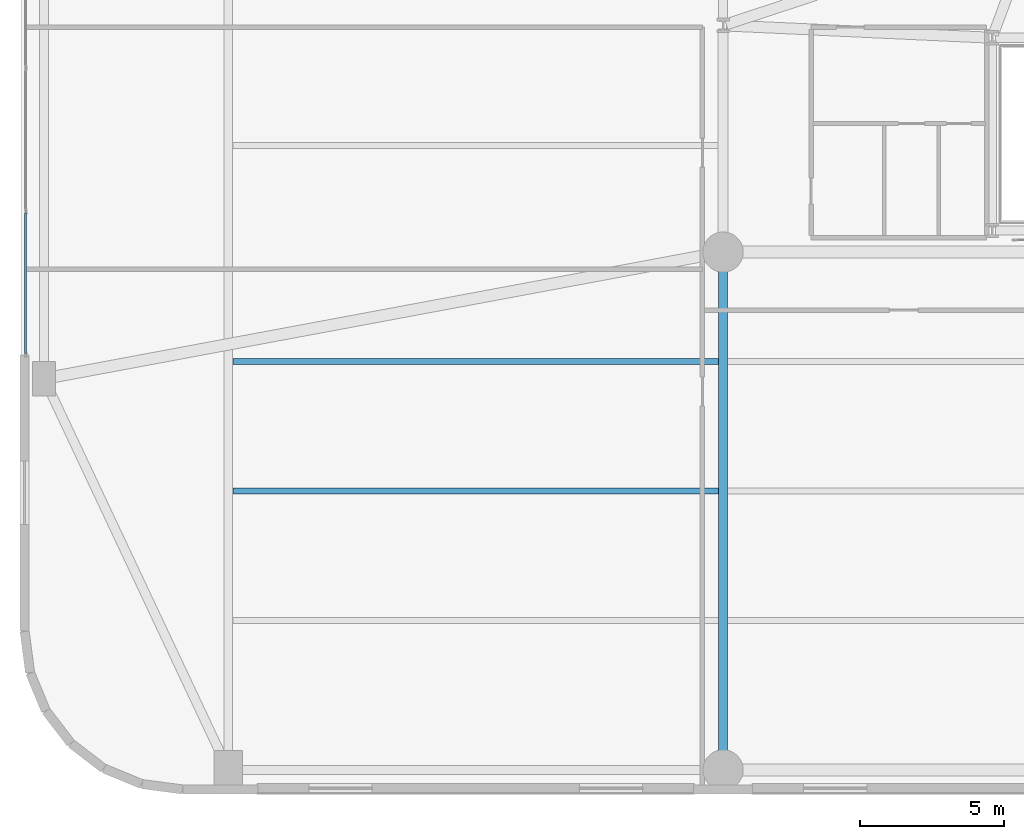
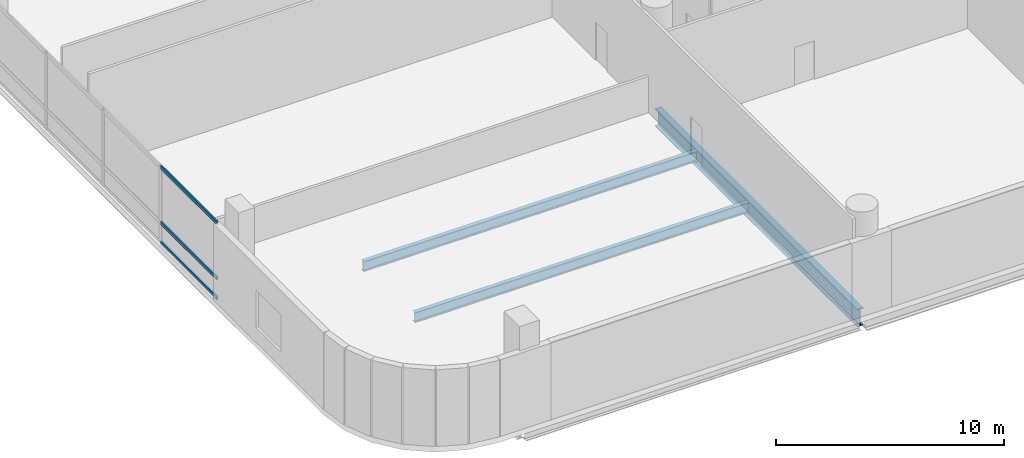
# One storey, part 3 of 31: 3 beams, 3 members, 1 element without a shape of its own.
"""IFC4 building model written with IfcOpenShell, lengths in metres."""

from ifc_helpers import new_model, si_unit, direction, frame, origin, origin_2d, place, context, subcontext, project, spatial, hollow_rectangle, i_section, extrude, material, layer, layer_set, material_profile, profile_set, type_object, element, aggregate, save


model = new_model("IFC4")

# Units and contexts
model_context = context("Model", 3, precision=1e-05, world=origin(), true_north=direction((0.0, 1.0)))
body_context = subcontext(model_context, "Body", "Model", "MODEL_VIEW")
ifc_project = project(units=[si_unit("LENGTHUNIT", "METRE"), si_unit("AREAUNIT", "SQUARE_METRE"), si_unit("VOLUMEUNIT", "CUBIC_METRE"), si_unit("PLANEANGLEUNIT", "RADIAN"), si_unit("MASSUNIT", "GRAM", prefix="KILO")], contexts=[model_context])

# Site, building, storey
site_placement = place(None, origin())
site = spatial("IfcSite", under=ifc_project, at=site_placement, CompositionType="ELEMENT")
building_placement = place(site_placement, origin())
building = spatial("IfcBuilding", under=site, at=building_placement, Name="Varnelok Gate Tower", CompositionType="ELEMENT")
storey_placement = place(building_placement, frame((0.0, 0.0, 21.60009765625)))
storey = spatial("IfcBuildingStorey", under=building, at=storey_placement, Name="L04", CompositionType="ELEMENT", Elevation=21.60009765625)

# Beams
ifc_material_1 = material(Name="Structural Steel ASTM A992 Grade 50", Category="steel")
ifc_material_profile_1 = material_profile(ifc_material_1, i_section(OverallWidth=0.2119140625, OverallDepth=0.5439453125, WebThickness=0.01318359375, FlangeThickness=0.021240234375, FilletRadius=0.01611328125, at=origin_2d()), Name="W21X83")
ifc_profile_set_1 = profile_set([ifc_material_profile_1], Name="Structural Steel ASTM A992 Grade 50")
beam_type_1 = type_object("IfcBeamType", Name="BM-JST-W21X83", PredefinedType="JOIST", material=ifc_profile_set_1)
for number, where, z_axis, x_axis, name in (
    (1, (7.360107421875, 10.5, -0.592041015625), (1.0, 0.0, 0.0), (0.0, 1.0, 0.0), "L04 Podium Floor Joist"),
    (2, (7.360107421875, 15.0, -0.592041015625), (1.0, 0.0, 0.0), (0.0, 1.0, 0.0), "L04 Podium Floor Joist"),
):
    element("IfcBeam", number, at=place(storey_placement, frame(where, z_axis=z_axis, x_axis=x_axis)), inside=storey, type_object=beam_type_1, Name=name, PredefinedType="JOIST", context=body_context, shape_type="SweptSolid", body=[
        extrude(i_section(OverallWidth=0.2119140625, OverallDepth=0.5439453125, WebThickness=0.01318359375, FlangeThickness=0.021240234375, FilletRadius=0.01611328125, at=origin_2d()), origin(), (0.0, 0.0, 1.0), 16.8798828125),
    ])
ifc_material_profile_2 = material_profile(ifc_material_1, i_section(OverallWidth=0.30810546875, OverallDepth=0.943115234375, WebThickness=0.022216796875, FlangeThickness=0.039794921875, FilletRadius=0.02587890625, at=origin_2d()), Name="W36X232")
ifc_profile_set_2 = profile_set([ifc_material_profile_2], Name="Structural Steel ASTM A992 Grade 50")
beam_type_2 = type_object("IfcBeamType", Name="BM-PRI-W36X232", PredefinedType="BEAM", material=ifc_profile_set_2)
beam_placement = place(storey_placement, frame((24.39990234375, 0.93994140625, -0.79150390625), z_axis=(0.0, 1.0, 0.0), x_axis=(-1.0, 0.0, 0.0)))
element("IfcBeam", 3, at=beam_placement, inside=storey, type_object=beam_type_2, Name="L04 Podium Primary Girder 12", PredefinedType="BEAM", context=body_context, shape_type="SweptSolid", body=[
    extrude(i_section(OverallWidth=0.30810546875, OverallDepth=0.943115234375, WebThickness=0.022216796875, FlangeThickness=0.039794921875, FilletRadius=0.02587890625, at=origin_2d()), origin(), (0.0, 0.0, 1.0), 17.719970703125),
])

# Curtain wall, members
ifc_material_2 = material(Name="Anodized Aluminum Alloy 6063-T6", Category="aluminium")
ifc_layer = layer(ifc_material_2, 0.179931640625)
ifc_layer_set = layer_set([ifc_layer], Name="Anodized Aluminum Alloy 6063-T6")
curtain_wall_type = type_object("IfcCurtainWallType", Name="CW1-ARCH-PORTAL", PredefinedType="USERDEFINED", material=ifc_layer_set)
curtain_wall_placement = place(storey_placement, origin())
curtain_wall = element("IfcCurtainWall", 4, at=curtain_wall_placement, inside=storey, type_object=curtain_wall_type, Name="L04 Podium Portal Curtain Wall W", ObjectType="UNITISED CURTAIN WALL", PredefinedType="USERDEFINED")
ifc_material_profile_3 = material_profile(ifc_material_2, hollow_rectangle(XDim=0.074951171875, YDim=0.199951171875, WallThickness=0.00390625, at=origin_2d()), Name="ALU200X75X4")
ifc_profile_set_3 = profile_set([ifc_material_profile_3], Name="Anodized Aluminum Alloy 6063-T6")
member_type = type_object("IfcMemberType", Name="CW-TRAN-200", PredefinedType="USERDEFINED", material=ifc_profile_set_3)
member_1_placement = place(storey_placement, frame((0.159912109375, 15.27490234375, 0.037353515625), z_axis=(0.0, 1.0, 0.0), x_axis=(-1.0, 0.0, 0.0)))
member_1 = element("IfcMember", 5, at=member_1_placement, type_object=member_type, Name="CW1 transom 1.1", ObjectType="TRANSOM", PredefinedType="USERDEFINED", context=body_context, shape_type="SweptSolid", body=[
    extrude(hollow_rectangle(XDim=0.074951171875, YDim=0.199951171875, WallThickness=0.00390625, at=origin_2d()), origin(), (0.0, 0.0, 1.0), 4.8876953125),
])
member_2_placement = place(storey_placement, frame((0.159912109375, 15.27490234375, 1.099853515625), z_axis=(0.0, 1.0, 0.0), x_axis=(-1.0, 0.0, 0.0)))
member_2 = element("IfcMember", 6, at=member_2_placement, type_object=member_type, Name="CW1 transom 1.2", ObjectType="TRANSOM", PredefinedType="USERDEFINED", context=body_context, shape_type="SweptSolid", body=[
    extrude(hollow_rectangle(XDim=0.074951171875, YDim=0.199951171875, WallThickness=0.00390625, at=origin_2d()), origin(), (0.0, 0.0, 1.0), 4.8876953125),
])
member_3_placement = place(storey_placement, frame((0.159912109375, 15.27490234375, 4.0625), z_axis=(0.0, 1.0, 0.0), x_axis=(-1.0, 0.0, 0.0)))
member_3 = element("IfcMember", 7, at=member_3_placement, type_object=member_type, Name="CW1 transom 1.3", ObjectType="TRANSOM", PredefinedType="USERDEFINED", context=body_context, shape_type="SweptSolid", body=[
    extrude(hollow_rectangle(XDim=0.074951171875, YDim=0.199951171875, WallThickness=0.00390625, at=origin_2d()), origin(), (0.0, 0.0, 1.0), 4.8876953125),
])
aggregate(curtain_wall, [member_1, member_2, member_3])

save(model, "model.ifc")
